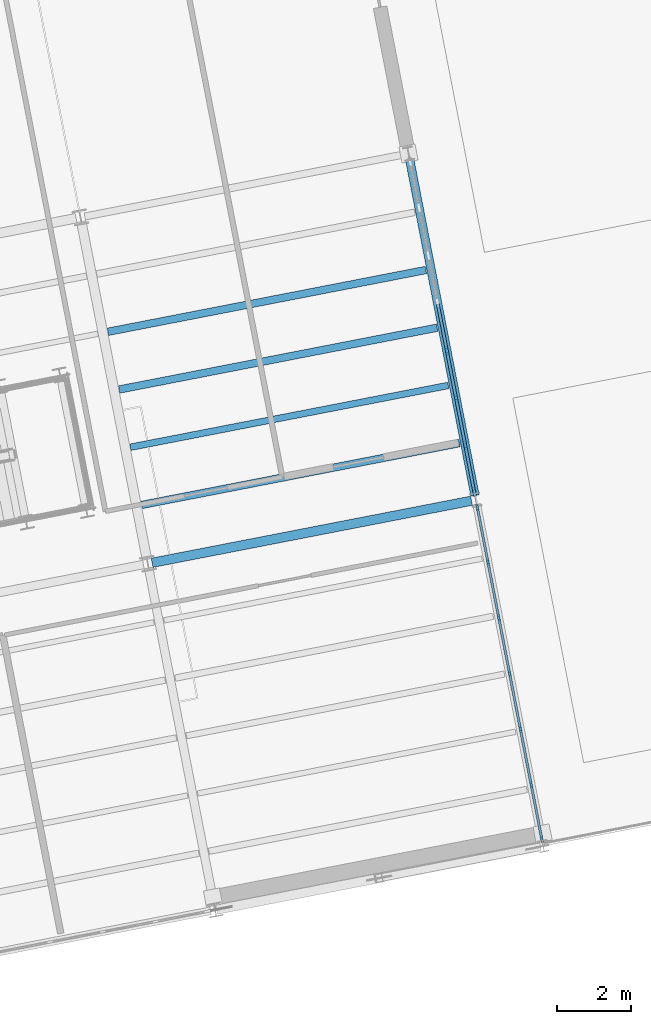
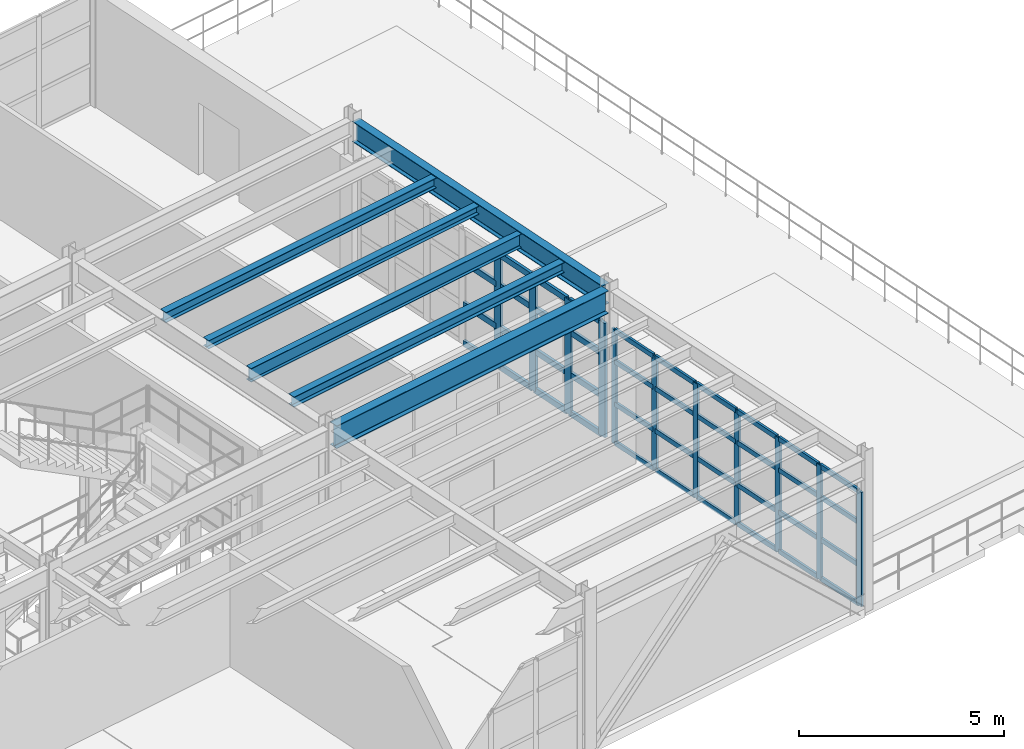
# One storey, part 24 of 109: 50 members, 6 beams, 2 elements without a shape of their own.
"""IFC4 building model written with IfcOpenShell, lengths in metres."""

from ifc_helpers import new_model, si_unit, direction, frame, origin, origin_2d, place, context, subcontext, project, spatial, rectangle, i_section, extrude, material, layer, layer_set, material_profile, profile_set, type_object, element, aggregate, save


model = new_model("IFC4")

# Units and contexts
model_context = context("Model", 3, precision=1e-05, world=origin(), true_north=direction((0.0, 1.0)))
body_context = subcontext(model_context, "Body", "Model", "MODEL_VIEW")
ifc_project = project(units=[si_unit("LENGTHUNIT", "METRE"), si_unit("AREAUNIT", "SQUARE_METRE"), si_unit("VOLUMEUNIT", "CUBIC_METRE"), si_unit("PLANEANGLEUNIT", "RADIAN"), si_unit("MASSUNIT", "GRAM", prefix="KILO")], contexts=[model_context])

# Site, building, storey
site_placement = place(None, origin())
site = spatial("IfcSite", under=ifc_project, at=site_placement, CompositionType="ELEMENT")
building_placement = place(site_placement, origin())
building = spatial("IfcBuilding", under=site, at=building_placement, Name="Vireo Bluff Cable Station", CompositionType="ELEMENT")
storey_placement = place(building_placement, frame((0.0, 0.0, 4.800048828125)))
storey = spatial("IfcBuildingStorey", under=building, at=storey_placement, Name="L01", CompositionType="ELEMENT", Elevation=4.800048828125)

# Curtain wall, members
ifc_material_1 = material(Name="Anodized Aluminium 6063-T6", Category="aluminium")
ifc_layer_1 = layer(ifc_material_1, 0.179931640625, Name="Anodized Aluminium 6063-T6")
ifc_layer_set_1 = layer_set([ifc_layer_1], Name="Anodized Aluminium 6063-T6")
curtain_wall_type_1 = type_object("IfcCurtainWallType", Name="CW-UNIT-1500", PredefinedType="USERDEFINED", material=ifc_layer_set_1)
curtain_wall_1_placement = place(storey_placement, origin())
curtain_wall_1 = element("IfcCurtainWall", 1, at=curtain_wall_1_placement, inside=storey, type_object=curtain_wall_type_1, Name="V5 L01 east curtain wall CW-124", ObjectType="UNITISED CURTAIN WALL", PredefinedType="USERDEFINED")
ifc_material_profile_1 = material_profile(ifc_material_1, rectangle(XDim=0.06494140625, YDim=0.179931640625, at=origin_2d()), Name="ALU-M-65X180")
ifc_profile_set_1 = profile_set([ifc_material_profile_1], Name="Anodized Aluminium 6063-T6")
member_type_1 = type_object("IfcMemberType", Name="CWM-01", PredefinedType="MULLION", material=ifc_profile_set_1)
member_1_placement = place(storey_placement, frame((43.067138671875, 21.482666015625, 0.0), z_axis=(0.0, 0.0, 1.0), x_axis=(0.981627194188, 0.190808940124, 0.0)))
member_1 = element("IfcMember", 2, at=member_1_placement, type_object=member_type_1, Name="CW-124 mullion 1", PredefinedType="MULLION", context=body_context, shape_type="SweptSolid", body=[
    extrude(rectangle(XDim=0.06494140625, YDim=0.179931640625, at=origin_2d()), origin(), (0.0, 0.0, 1.0), 3.39990234375),
])
member_2_placement = place(storey_placement, frame((43.352294921875, 20.015625, 0.0), z_axis=(0.0, 0.0, 1.0), x_axis=(0.981627194188, 0.190808940124, 0.0)))
member_2 = element("IfcMember", 3, at=member_2_placement, type_object=member_type_1, Name="CW-124 mullion 2", PredefinedType="MULLION", context=body_context, shape_type="SweptSolid", body=[
    extrude(rectangle(XDim=0.06494140625, YDim=0.179931640625, at=origin_2d()), origin(), (0.0, 0.0, 1.0), 3.39990234375),
])
member_3_placement = place(storey_placement, frame((43.6435546875, 18.516845703125, 0.0), z_axis=(0.0, 0.0, 1.0), x_axis=(0.981627194188, 0.190808940124, 0.0)))
member_3 = element("IfcMember", 4, at=member_3_placement, type_object=member_type_1, Name="CW-124 mullion 3", PredefinedType="MULLION", context=body_context, shape_type="SweptSolid", body=[
    extrude(rectangle(XDim=0.06494140625, YDim=0.179931640625, at=origin_2d()), origin(), (0.0, 0.0, 1.0), 3.39990234375),
])
member_4_placement = place(storey_placement, frame((43.93505859375, 17.017822265625, 0.0), z_axis=(0.0, 0.0, 1.0), x_axis=(0.981627194188, 0.190808940124, 0.0)))
member_4 = element("IfcMember", 5, at=member_4_placement, type_object=member_type_1, Name="CW-124 mullion 4", PredefinedType="MULLION", context=body_context, shape_type="SweptSolid", body=[
    extrude(rectangle(XDim=0.06494140625, YDim=0.179931640625, at=origin_2d()), origin(), (0.0, 0.0, 1.0), 3.39990234375),
])
member_5_placement = place(storey_placement, frame((44.226318359375, 15.51904296875, 0.0), z_axis=(0.0, 0.0, 1.0), x_axis=(0.981627194188, 0.190808940124, 0.0)))
member_5 = element("IfcMember", 6, at=member_5_placement, type_object=member_type_1, Name="CW-124 mullion 5", PredefinedType="MULLION", context=body_context, shape_type="SweptSolid", body=[
    extrude(rectangle(XDim=0.06494140625, YDim=0.179931640625, at=origin_2d()), origin(), (0.0, 0.0, 1.0), 3.39990234375),
])
member_6_placement = place(storey_placement, frame((44.517578125, 14.02001953125, 0.0), z_axis=(0.0, 0.0, 1.0), x_axis=(0.981627194188, 0.190808940124, 0.0)))
member_6 = element("IfcMember", 7, at=member_6_placement, type_object=member_type_1, Name="CW-124 mullion 6", PredefinedType="MULLION", context=body_context, shape_type="SweptSolid", body=[
    extrude(rectangle(XDim=0.06494140625, YDim=0.179931640625, at=origin_2d()), origin(), (0.0, 0.0, 1.0), 3.39990234375),
])
member_7_placement = place(storey_placement, frame((44.802734375, 12.55322265625, 0.0), z_axis=(0.0, 0.0, 1.0), x_axis=(0.981627194188, 0.190808940124, 0.0)))
member_7 = element("IfcMember", 8, at=member_7_placement, type_object=member_type_1, Name="CW-124 mullion 7", PredefinedType="MULLION", context=body_context, shape_type="SweptSolid", body=[
    extrude(rectangle(XDim=0.06494140625, YDim=0.179931640625, at=origin_2d()), origin(), (0.0, 0.0, 1.0), 3.39990234375),
])

ifc_layer_2 = layer(ifc_material_1, 0.179931640625, Name="Anodized Aluminium 6063-T6")
ifc_layer_set_2 = layer_set([ifc_layer_2], Name="Anodized Aluminium 6063-T6")
curtain_wall_type_2 = type_object("IfcCurtainWallType", Name="CW-UNIT-1400", PredefinedType="USERDEFINED", material=ifc_layer_set_2)
curtain_wall_2_placement = place(storey_placement, origin())
curtain_wall_2 = element("IfcCurtainWall", 9, at=curtain_wall_2_placement, inside=storey, type_object=curtain_wall_type_2, Name="V5 L01 east curtain wall CW-123", ObjectType="UNITISED CURTAIN WALL", PredefinedType="USERDEFINED")
ifc_material_profile_2 = material_profile(ifc_material_1, rectangle(XDim=0.080078125, YDim=0.239990234375, at=origin_2d()), Name="ALU-M-80X240")
ifc_profile_set_2 = profile_set([ifc_material_profile_2], Name="Anodized Aluminium 6063-T6")
member_type_2 = type_object("IfcMemberType", Name="CWM-04", PredefinedType="MULLION", material=ifc_profile_set_2)
member_8_placement = place(storey_placement, frame((42.244140625, 25.717041015625, 0.0), z_axis=(0.0, 0.0, 1.0), x_axis=(0.981627174053, 0.190809043708, 0.0)))
member_8 = element("IfcMember", 10, at=member_8_placement, type_object=member_type_2, Name="CW-123 mullion 5", PredefinedType="MULLION", context=body_context, shape_type="SweptSolid", body=[
    extrude(rectangle(XDim=0.080078125, YDim=0.239990234375, at=origin_2d()), origin(), (0.0, 0.0, 1.0), 3.39990234375),
])
member_9_placement = place(storey_placement, frame((42.492919921875, 24.436279296875, 0.0), z_axis=(0.0, 0.0, 1.0), x_axis=(0.981627174053, 0.190809043708, 0.0)))
member_9 = element("IfcMember", 11, at=member_9_placement, type_object=member_type_2, Name="CW-123 mullion 6", PredefinedType="MULLION", context=body_context, shape_type="SweptSolid", body=[
    extrude(rectangle(XDim=0.080078125, YDim=0.239990234375, at=origin_2d()), origin(), (0.0, 0.0, 1.0), 3.39990234375),
])
member_10_placement = place(storey_placement, frame((42.741943359375, 23.155517578125, 0.0), z_axis=(0.0, 0.0, 1.0), x_axis=(0.981627174053, 0.190809043708, 0.0)))
member_10 = element("IfcMember", 12, at=member_10_placement, type_object=member_type_2, Name="CW-123 mullion 7", PredefinedType="MULLION", context=body_context, shape_type="SweptSolid", body=[
    extrude(rectangle(XDim=0.080078125, YDim=0.239990234375, at=origin_2d()), origin(), (0.0, 0.0, 1.0), 3.39990234375),
])
member_11_placement = place(storey_placement, frame((42.983154296875, 21.9140625, 0.0), z_axis=(0.0, 0.0, 1.0), x_axis=(0.981627174053, 0.190809043708, 0.0)))
member_11 = element("IfcMember", 13, at=member_11_placement, type_object=member_type_2, Name="CW-123 mullion 8", PredefinedType="MULLION", context=body_context, shape_type="SweptSolid", body=[
    extrude(rectangle(XDim=0.080078125, YDim=0.239990234375, at=origin_2d()), origin(), (0.0, 0.0, 1.0), 3.39990234375),
])

# Member
ifc_material_profile_3 = material_profile(ifc_material_1, rectangle(XDim=0.06494140625, YDim=0.139892578125, at=origin_2d()), Name="ALU-T-65X140")
ifc_profile_set_3 = profile_set([ifc_material_profile_3], Name="Anodized Aluminium 6063-T6")
member_type_3 = type_object("IfcMemberType", Name="CWT-01", PredefinedType="USERDEFINED", material=ifc_profile_set_3)
member_12_placement = place(storey_placement, frame((43.0732421875, 21.45068359375, 0.032470703125), z_axis=(0.190791937933, -0.981630498925, 0.0), x_axis=(0.981630498925, 0.190791937933, 0.0)))
member_12 = element("IfcMember", 14, at=member_12_placement, type_object=member_type_3, Name="CW-124 transom 1.1", ObjectType="TRANSOM", PredefinedType="USERDEFINED", context=body_context, shape_type="SweptSolid", body=[
    extrude(rectangle(XDim=0.06494140625, YDim=0.139892578125, at=origin_2d()), origin(), (0.0, 0.0, 1.0), 1.429443359375),
])

member_13_placement = place(storey_placement, frame((43.0732421875, 21.45068359375, 1.18994140625), z_axis=(0.190791937933, -0.981630498925, 0.0), x_axis=(0.981630498925, 0.190791937933, 0.0)))
member_13 = element("IfcMember", 15, at=member_13_placement, type_object=member_type_3, Name="CW-124 transom 1.2", ObjectType="TRANSOM", PredefinedType="USERDEFINED", context=body_context, shape_type="SweptSolid", body=[
    extrude(rectangle(XDim=0.06494140625, YDim=0.139892578125, at=origin_2d()), origin(), (0.0, 0.0, 1.0), 1.429443359375),
])

member_14_placement = place(storey_placement, frame((43.0732421875, 21.45068359375, 2.447998046875), z_axis=(0.190791937933, -0.981630498925, 0.0), x_axis=(0.981630498925, 0.190791937933, 0.0)))
member_14 = element("IfcMember", 16, at=member_14_placement, type_object=member_type_3, Name="CW-124 transom 1.3", ObjectType="TRANSOM", PredefinedType="USERDEFINED", context=body_context, shape_type="SweptSolid", body=[
    extrude(rectangle(XDim=0.06494140625, YDim=0.139892578125, at=origin_2d()), origin(), (0.0, 0.0, 1.0), 1.429443359375),
])

member_15_placement = place(storey_placement, frame((43.0732421875, 21.45068359375, 3.367431640625), z_axis=(0.190791937933, -0.981630498925, 0.0), x_axis=(0.981630498925, 0.190791937933, 0.0)))
member_15 = element("IfcMember", 17, at=member_15_placement, type_object=member_type_3, Name="CW-124 transom 1.4", ObjectType="TRANSOM", PredefinedType="USERDEFINED", context=body_context, shape_type="SweptSolid", body=[
    extrude(rectangle(XDim=0.06494140625, YDim=0.139892578125, at=origin_2d()), origin(), (0.0, 0.0, 1.0), 1.429443359375),
])

member_16_placement = place(storey_placement, frame((43.3583984375, 19.983642578125, 0.032470703125), z_axis=(0.190878598759, -0.98161365136, 0.0), x_axis=(0.98161365136, 0.190878598759, 0.0)))
member_16 = element("IfcMember", 18, at=member_16_placement, type_object=member_type_3, Name="CW-124 transom 2.1", ObjectType="TRANSOM", PredefinedType="USERDEFINED", context=body_context, shape_type="SweptSolid", body=[
    extrude(rectangle(XDim=0.06494140625, YDim=0.139892578125, at=origin_2d()), origin(), (0.0, 0.0, 1.0), 1.4619140625),
])

member_17_placement = place(storey_placement, frame((43.3583984375, 19.983642578125, 1.18994140625), z_axis=(0.190878598759, -0.98161365136, 0.0), x_axis=(0.98161365136, 0.190878598759, 0.0)))
member_17 = element("IfcMember", 19, at=member_17_placement, type_object=member_type_3, Name="CW-124 transom 2.2", ObjectType="TRANSOM", PredefinedType="USERDEFINED", context=body_context, shape_type="SweptSolid", body=[
    extrude(rectangle(XDim=0.06494140625, YDim=0.139892578125, at=origin_2d()), origin(), (0.0, 0.0, 1.0), 1.4619140625),
])

member_18_placement = place(storey_placement, frame((43.3583984375, 19.983642578125, 2.447998046875), z_axis=(0.190878598759, -0.98161365136, 0.0), x_axis=(0.98161365136, 0.190878598759, 0.0)))
member_18 = element("IfcMember", 20, at=member_18_placement, type_object=member_type_3, Name="CW-124 transom 2.3", ObjectType="TRANSOM", PredefinedType="USERDEFINED", context=body_context, shape_type="SweptSolid", body=[
    extrude(rectangle(XDim=0.06494140625, YDim=0.139892578125, at=origin_2d()), origin(), (0.0, 0.0, 1.0), 1.4619140625),
])

member_19_placement = place(storey_placement, frame((43.3583984375, 19.983642578125, 3.367431640625), z_axis=(0.190878598759, -0.98161365136, 0.0), x_axis=(0.98161365136, 0.190878598759, 0.0)))
member_19 = element("IfcMember", 21, at=member_19_placement, type_object=member_type_3, Name="CW-124 transom 2.4", ObjectType="TRANSOM", PredefinedType="USERDEFINED", context=body_context, shape_type="SweptSolid", body=[
    extrude(rectangle(XDim=0.06494140625, YDim=0.139892578125, at=origin_2d()), origin(), (0.0, 0.0, 1.0), 1.4619140625),
])

member_20_placement = place(storey_placement, frame((43.64990234375, 18.48486328125, 0.032470703125), z_axis=(0.190717677676, -0.981644929403, 0.0), x_axis=(0.981644929403, 0.190717677676, 0.0)))
member_20 = element("IfcMember", 22, at=member_20_placement, type_object=member_type_3, Name="CW-124 transom 3.1", ObjectType="TRANSOM", PredefinedType="USERDEFINED", context=body_context, shape_type="SweptSolid", body=[
    extrude(rectangle(XDim=0.06494140625, YDim=0.139892578125, at=origin_2d()), origin(), (0.0, 0.0, 1.0), 1.4619140625),
])

member_21_placement = place(storey_placement, frame((43.64990234375, 18.48486328125, 1.18994140625), z_axis=(0.190717677676, -0.981644929403, 0.0), x_axis=(0.981644929403, 0.190717677676, 0.0)))
member_21 = element("IfcMember", 23, at=member_21_placement, type_object=member_type_3, Name="CW-124 transom 3.2", ObjectType="TRANSOM", PredefinedType="USERDEFINED", context=body_context, shape_type="SweptSolid", body=[
    extrude(rectangle(XDim=0.06494140625, YDim=0.139892578125, at=origin_2d()), origin(), (0.0, 0.0, 1.0), 1.4619140625),
])

member_22_placement = place(storey_placement, frame((43.64990234375, 18.48486328125, 2.447998046875), z_axis=(0.190717677676, -0.981644929403, 0.0), x_axis=(0.981644929403, 0.190717677676, 0.0)))
member_22 = element("IfcMember", 24, at=member_22_placement, type_object=member_type_3, Name="CW-124 transom 3.3", ObjectType="TRANSOM", PredefinedType="USERDEFINED", context=body_context, shape_type="SweptSolid", body=[
    extrude(rectangle(XDim=0.06494140625, YDim=0.139892578125, at=origin_2d()), origin(), (0.0, 0.0, 1.0), 1.4619140625),
])

member_23_placement = place(storey_placement, frame((43.64990234375, 18.48486328125, 3.367431640625), z_axis=(0.190717677676, -0.981644929403, 0.0), x_axis=(0.981644929403, 0.190717677676, 0.0)))
member_23 = element("IfcMember", 25, at=member_23_placement, type_object=member_type_3, Name="CW-124 transom 3.4", ObjectType="TRANSOM", PredefinedType="USERDEFINED", context=body_context, shape_type="SweptSolid", body=[
    extrude(rectangle(XDim=0.06494140625, YDim=0.139892578125, at=origin_2d()), origin(), (0.0, 0.0, 1.0), 1.4619140625),
])

member_24_placement = place(storey_placement, frame((43.941162109375, 16.98583984375, 0.032470703125), z_axis=(0.190909894028, -0.981607565355, 0.0), x_axis=(0.981607565355, 0.190909894028, 0.0)))
member_24 = element("IfcMember", 26, at=member_24_placement, type_object=member_type_3, Name="CW-124 transom 4.1", ObjectType="TRANSOM", PredefinedType="USERDEFINED", context=body_context, shape_type="SweptSolid", body=[
    extrude(rectangle(XDim=0.06494140625, YDim=0.139892578125, at=origin_2d()), origin(), (0.0, 0.0, 1.0), 1.461669921875),
])

member_25_placement = place(storey_placement, frame((43.941162109375, 16.98583984375, 1.18994140625), z_axis=(0.190909894028, -0.981607565355, 0.0), x_axis=(0.981607565355, 0.190909894028, 0.0)))
member_25 = element("IfcMember", 27, at=member_25_placement, type_object=member_type_3, Name="CW-124 transom 4.2", ObjectType="TRANSOM", PredefinedType="USERDEFINED", context=body_context, shape_type="SweptSolid", body=[
    extrude(rectangle(XDim=0.06494140625, YDim=0.139892578125, at=origin_2d()), origin(), (0.0, 0.0, 1.0), 1.461669921875),
])

member_26_placement = place(storey_placement, frame((43.941162109375, 16.98583984375, 2.447998046875), z_axis=(0.190909894028, -0.981607565355, 0.0), x_axis=(0.981607565355, 0.190909894028, 0.0)))
member_26 = element("IfcMember", 28, at=member_26_placement, type_object=member_type_3, Name="CW-124 transom 4.3", ObjectType="TRANSOM", PredefinedType="USERDEFINED", context=body_context, shape_type="SweptSolid", body=[
    extrude(rectangle(XDim=0.06494140625, YDim=0.139892578125, at=origin_2d()), origin(), (0.0, 0.0, 1.0), 1.461669921875),
])

member_27_placement = place(storey_placement, frame((43.941162109375, 16.98583984375, 3.367431640625), z_axis=(0.190909894028, -0.981607565355, 0.0), x_axis=(0.981607565355, 0.190909894028, 0.0)))
member_27 = element("IfcMember", 29, at=member_27_placement, type_object=member_type_3, Name="CW-124 transom 4.4", ObjectType="TRANSOM", PredefinedType="USERDEFINED", context=body_context, shape_type="SweptSolid", body=[
    extrude(rectangle(XDim=0.06494140625, YDim=0.139892578125, at=origin_2d()), origin(), (0.0, 0.0, 1.0), 1.461669921875),
])

member_28_placement = place(storey_placement, frame((44.232421875, 15.487060546875, 0.032470703125), z_axis=(0.190878598759, -0.98161365136, 0.0), x_axis=(0.98161365136, 0.190878598759, 0.0)))
member_28 = element("IfcMember", 30, at=member_28_placement, type_object=member_type_3, Name="CW-124 transom 5.1", ObjectType="TRANSOM", PredefinedType="USERDEFINED", context=body_context, shape_type="SweptSolid", body=[
    extrude(rectangle(XDim=0.06494140625, YDim=0.139892578125, at=origin_2d()), origin(), (0.0, 0.0, 1.0), 1.4619140625),
])

member_29_placement = place(storey_placement, frame((44.232421875, 15.487060546875, 1.18994140625), z_axis=(0.190878598759, -0.98161365136, 0.0), x_axis=(0.98161365136, 0.190878598759, 0.0)))
member_29 = element("IfcMember", 31, at=member_29_placement, type_object=member_type_3, Name="CW-124 transom 5.2", ObjectType="TRANSOM", PredefinedType="USERDEFINED", context=body_context, shape_type="SweptSolid", body=[
    extrude(rectangle(XDim=0.06494140625, YDim=0.139892578125, at=origin_2d()), origin(), (0.0, 0.0, 1.0), 1.4619140625),
])

member_30_placement = place(storey_placement, frame((44.232421875, 15.487060546875, 2.447998046875), z_axis=(0.190878598759, -0.98161365136, 0.0), x_axis=(0.98161365136, 0.190878598759, 0.0)))
member_30 = element("IfcMember", 32, at=member_30_placement, type_object=member_type_3, Name="CW-124 transom 5.3", ObjectType="TRANSOM", PredefinedType="USERDEFINED", context=body_context, shape_type="SweptSolid", body=[
    extrude(rectangle(XDim=0.06494140625, YDim=0.139892578125, at=origin_2d()), origin(), (0.0, 0.0, 1.0), 1.4619140625),
])

member_31_placement = place(storey_placement, frame((44.232421875, 15.487060546875, 3.367431640625), z_axis=(0.190878598759, -0.98161365136, 0.0), x_axis=(0.98161365136, 0.190878598759, 0.0)))
member_31 = element("IfcMember", 33, at=member_31_placement, type_object=member_type_3, Name="CW-124 transom 5.4", ObjectType="TRANSOM", PredefinedType="USERDEFINED", context=body_context, shape_type="SweptSolid", body=[
    extrude(rectangle(XDim=0.06494140625, YDim=0.139892578125, at=origin_2d()), origin(), (0.0, 0.0, 1.0), 1.4619140625),
])

member_32_placement = place(storey_placement, frame((44.52392578125, 13.98828125, 0.032470703125), z_axis=(0.190759953145, -0.98163671502, 0.0), x_axis=(0.98163671502, 0.190759953145, 0.0)))
member_32 = element("IfcMember", 34, at=member_32_placement, type_object=member_type_3, Name="CW-124 transom 6.1", ObjectType="TRANSOM", PredefinedType="USERDEFINED", context=body_context, shape_type="SweptSolid", body=[
    extrude(rectangle(XDim=0.06494140625, YDim=0.139892578125, at=origin_2d()), origin(), (0.0, 0.0, 1.0), 1.4296875),
])

member_33_placement = place(storey_placement, frame((44.52392578125, 13.98828125, 1.18994140625), z_axis=(0.190759953145, -0.98163671502, 0.0), x_axis=(0.98163671502, 0.190759953145, 0.0)))
member_33 = element("IfcMember", 35, at=member_33_placement, type_object=member_type_3, Name="CW-124 transom 6.2", ObjectType="TRANSOM", PredefinedType="USERDEFINED", context=body_context, shape_type="SweptSolid", body=[
    extrude(rectangle(XDim=0.06494140625, YDim=0.139892578125, at=origin_2d()), origin(), (0.0, 0.0, 1.0), 1.4296875),
])

member_34_placement = place(storey_placement, frame((44.52392578125, 13.98828125, 2.447998046875), z_axis=(0.190759953145, -0.98163671502, 0.0), x_axis=(0.98163671502, 0.190759953145, 0.0)))
member_34 = element("IfcMember", 36, at=member_34_placement, type_object=member_type_3, Name="CW-124 transom 6.3", ObjectType="TRANSOM", PredefinedType="USERDEFINED", context=body_context, shape_type="SweptSolid", body=[
    extrude(rectangle(XDim=0.06494140625, YDim=0.139892578125, at=origin_2d()), origin(), (0.0, 0.0, 1.0), 1.4296875),
])

member_35_placement = place(storey_placement, frame((44.52392578125, 13.98828125, 3.367431640625), z_axis=(0.190759953145, -0.98163671502, 0.0), x_axis=(0.98163671502, 0.190759953145, 0.0)))
member_35 = element("IfcMember", 37, at=member_35_placement, type_object=member_type_3, Name="CW-124 transom 6.4", ObjectType="TRANSOM", PredefinedType="USERDEFINED", context=body_context, shape_type="SweptSolid", body=[
    extrude(rectangle(XDim=0.06494140625, YDim=0.139892578125, at=origin_2d()), origin(), (0.0, 0.0, 1.0), 1.4296875),
])

aggregate(curtain_wall_1, [member_1, member_2, member_3, member_4, member_5, member_6, member_7, member_12, member_13, member_14, member_15, member_16, member_17, member_18, member_19, member_20, member_21, member_22, member_23, member_24, member_25, member_26, member_27, member_28, member_29, member_30, member_31, member_32, member_33, member_34, member_35])

ifc_material_profile_4 = material_profile(ifc_material_1, rectangle(XDim=0.080078125, YDim=0.175048828125, at=origin_2d()), Name="ALU-T-80X175")
ifc_profile_set_4 = profile_set([ifc_material_profile_4], Name="Anodized Aluminium 6063-T6")
member_type_4 = type_object("IfcMemberType", Name="CWT-04", PredefinedType="USERDEFINED", material=ifc_profile_set_4)
member_36_placement = place(storey_placement, frame((42.002685546875, 26.95849609375, 0.0400390625), z_axis=(0.190746955021, -0.981639240836, 0.0), x_axis=(0.981639240836, 0.190746955021, 0.0)))
member_36 = element("IfcMember", 38, at=member_36_placement, type_object=member_type_4, Name="CW-123 transom 4.1", ObjectType="TRANSOM", PredefinedType="USERDEFINED", context=body_context, shape_type="SweptSolid", body=[
    extrude(rectangle(XDim=0.080078125, YDim=0.175048828125, at=origin_2d()), origin(), (0.0, 0.0, 1.0), 1.224853515625),
])

member_37_placement = place(storey_placement, frame((42.002685546875, 26.95849609375, 1.18994140625), z_axis=(0.190746955021, -0.981639240836, 0.0), x_axis=(0.981639240836, 0.190746955021, 0.0)))
member_37 = element("IfcMember", 39, at=member_37_placement, type_object=member_type_4, Name="CW-123 transom 4.2", ObjectType="TRANSOM", PredefinedType="USERDEFINED", context=body_context, shape_type="SweptSolid", body=[
    extrude(rectangle(XDim=0.080078125, YDim=0.175048828125, at=origin_2d()), origin(), (0.0, 0.0, 1.0), 1.224853515625),
])

member_38_placement = place(storey_placement, frame((42.002685546875, 26.95849609375, 2.447998046875), z_axis=(0.190746955021, -0.981639240836, 0.0), x_axis=(0.981639240836, 0.190746955021, 0.0)))
member_38 = element("IfcMember", 40, at=member_38_placement, type_object=member_type_4, Name="CW-123 transom 4.3", ObjectType="TRANSOM", PredefinedType="USERDEFINED", context=body_context, shape_type="SweptSolid", body=[
    extrude(rectangle(XDim=0.080078125, YDim=0.175048828125, at=origin_2d()), origin(), (0.0, 0.0, 1.0), 1.224853515625),
])

member_39_placement = place(storey_placement, frame((42.251708984375, 25.677734375, 0.0400390625), z_axis=(0.190746955021, -0.981639240836, 0.0), x_axis=(0.981639240836, 0.190746955021, 0.0)))
member_39 = element("IfcMember", 41, at=member_39_placement, type_object=member_type_4, Name="CW-123 transom 5.1", ObjectType="TRANSOM", PredefinedType="USERDEFINED", context=body_context, shape_type="SweptSolid", body=[
    extrude(rectangle(XDim=0.080078125, YDim=0.175048828125, at=origin_2d()), origin(), (0.0, 0.0, 1.0), 1.224853515625),
])

member_40_placement = place(storey_placement, frame((42.251708984375, 25.677734375, 1.18994140625), z_axis=(0.190746955021, -0.981639240836, 0.0), x_axis=(0.981639240836, 0.190746955021, 0.0)))
member_40 = element("IfcMember", 42, at=member_40_placement, type_object=member_type_4, Name="CW-123 transom 5.2", ObjectType="TRANSOM", PredefinedType="USERDEFINED", context=body_context, shape_type="SweptSolid", body=[
    extrude(rectangle(XDim=0.080078125, YDim=0.175048828125, at=origin_2d()), origin(), (0.0, 0.0, 1.0), 1.224853515625),
])

member_41_placement = place(storey_placement, frame((42.251708984375, 25.677734375, 2.447998046875), z_axis=(0.190746955021, -0.981639240836, 0.0), x_axis=(0.981639240836, 0.190746955021, 0.0)))
member_41 = element("IfcMember", 43, at=member_41_placement, type_object=member_type_4, Name="CW-123 transom 5.3", ObjectType="TRANSOM", PredefinedType="USERDEFINED", context=body_context, shape_type="SweptSolid", body=[
    extrude(rectangle(XDim=0.080078125, YDim=0.175048828125, at=origin_2d()), origin(), (0.0, 0.0, 1.0), 1.224853515625),
])

member_42_placement = place(storey_placement, frame((42.251708984375, 25.677734375, 3.35986328125), z_axis=(0.190746955021, -0.981639240836, 0.0), x_axis=(0.981639240836, 0.190746955021, 0.0)))
member_42 = element("IfcMember", 44, at=member_42_placement, type_object=member_type_4, Name="CW-123 transom 5.4", ObjectType="TRANSOM", PredefinedType="USERDEFINED", context=body_context, shape_type="SweptSolid", body=[
    extrude(rectangle(XDim=0.080078125, YDim=0.175048828125, at=origin_2d()), origin(), (0.0, 0.0, 1.0), 1.224853515625),
])

member_43_placement = place(storey_placement, frame((42.50048828125, 24.39697265625, 0.0400390625), z_axis=(0.190976372698, -0.981594633783, 0.0), x_axis=(0.981594633783, 0.190976372698, 0.0)))
member_43 = element("IfcMember", 45, at=member_43_placement, type_object=member_type_4, Name="CW-123 transom 6.1", ObjectType="TRANSOM", PredefinedType="USERDEFINED", context=body_context, shape_type="SweptSolid", body=[
    extrude(rectangle(XDim=0.080078125, YDim=0.175048828125, at=origin_2d()), origin(), (0.0, 0.0, 1.0), 1.224609375),
])

member_44_placement = place(storey_placement, frame((42.50048828125, 24.39697265625, 1.18994140625), z_axis=(0.190976372698, -0.981594633783, 0.0), x_axis=(0.981594633783, 0.190976372698, 0.0)))
member_44 = element("IfcMember", 46, at=member_44_placement, type_object=member_type_4, Name="CW-123 transom 6.2", ObjectType="TRANSOM", PredefinedType="USERDEFINED", context=body_context, shape_type="SweptSolid", body=[
    extrude(rectangle(XDim=0.080078125, YDim=0.175048828125, at=origin_2d()), origin(), (0.0, 0.0, 1.0), 1.224609375),
])

member_45_placement = place(storey_placement, frame((42.50048828125, 24.39697265625, 2.447998046875), z_axis=(0.190976372698, -0.981594633783, 0.0), x_axis=(0.981594633783, 0.190976372698, 0.0)))
member_45 = element("IfcMember", 47, at=member_45_placement, type_object=member_type_4, Name="CW-123 transom 6.3", ObjectType="TRANSOM", PredefinedType="USERDEFINED", context=body_context, shape_type="SweptSolid", body=[
    extrude(rectangle(XDim=0.080078125, YDim=0.175048828125, at=origin_2d()), origin(), (0.0, 0.0, 1.0), 1.224609375),
])

member_46_placement = place(storey_placement, frame((42.50048828125, 24.39697265625, 3.35986328125), z_axis=(0.190976372698, -0.981594633783, 0.0), x_axis=(0.981594633783, 0.190976372698, 0.0)))
member_46 = element("IfcMember", 48, at=member_46_placement, type_object=member_type_4, Name="CW-123 transom 6.4", ObjectType="TRANSOM", PredefinedType="USERDEFINED", context=body_context, shape_type="SweptSolid", body=[
    extrude(rectangle(XDim=0.080078125, YDim=0.175048828125, at=origin_2d()), origin(), (0.0, 0.0, 1.0), 1.224609375),
])

member_47_placement = place(storey_placement, frame((42.74951171875, 23.1162109375, 0.0400390625), z_axis=(0.190803477145, -0.981628256067, 0.0), x_axis=(0.981628256067, 0.190803477145, 0.0)))
member_47 = element("IfcMember", 49, at=member_47_placement, type_object=member_type_4, Name="CW-123 transom 7.1", ObjectType="TRANSOM", PredefinedType="USERDEFINED", context=body_context, shape_type="SweptSolid", body=[
    extrude(rectangle(XDim=0.080078125, YDim=0.175048828125, at=origin_2d()), origin(), (0.0, 0.0, 1.0), 1.184814453125),
])

member_48_placement = place(storey_placement, frame((42.74951171875, 23.1162109375, 1.18994140625), z_axis=(0.190803477145, -0.981628256067, 0.0), x_axis=(0.981628256067, 0.190803477145, 0.0)))
member_48 = element("IfcMember", 50, at=member_48_placement, type_object=member_type_4, Name="CW-123 transom 7.2", ObjectType="TRANSOM", PredefinedType="USERDEFINED", context=body_context, shape_type="SweptSolid", body=[
    extrude(rectangle(XDim=0.080078125, YDim=0.175048828125, at=origin_2d()), origin(), (0.0, 0.0, 1.0), 1.184814453125),
])

member_49_placement = place(storey_placement, frame((42.74951171875, 23.1162109375, 2.447998046875), z_axis=(0.190803477145, -0.981628256067, 0.0), x_axis=(0.981628256067, 0.190803477145, 0.0)))
member_49 = element("IfcMember", 51, at=member_49_placement, type_object=member_type_4, Name="CW-123 transom 7.3", ObjectType="TRANSOM", PredefinedType="USERDEFINED", context=body_context, shape_type="SweptSolid", body=[
    extrude(rectangle(XDim=0.080078125, YDim=0.175048828125, at=origin_2d()), origin(), (0.0, 0.0, 1.0), 1.184814453125),
])

member_50_placement = place(storey_placement, frame((42.74951171875, 23.1162109375, 3.35986328125), z_axis=(0.190803477145, -0.981628256067, 0.0), x_axis=(0.981628256067, 0.190803477145, 0.0)))
member_50 = element("IfcMember", 52, at=member_50_placement, type_object=member_type_4, Name="CW-123 transom 7.4", ObjectType="TRANSOM", PredefinedType="USERDEFINED", context=body_context, shape_type="SweptSolid", body=[
    extrude(rectangle(XDim=0.080078125, YDim=0.175048828125, at=origin_2d()), origin(), (0.0, 0.0, 1.0), 1.184814453125),
])

aggregate(curtain_wall_2, [member_8, member_9, member_10, member_11, member_36, member_37, member_38, member_39, member_40, member_41, member_42, member_43, member_44, member_45, member_46, member_47, member_48, member_49, member_50])

# Beams
ifc_material_2 = material(Name="Steel ASTM A992 Gr. 50", Category="steel")
ifc_material_profile_5 = material_profile(ifc_material_2, i_section(OverallWidth=0.2529296875, OverallDepth=0.677978515625, WebThickness=0.01171875, FlangeThickness=0.016357421875, FilletRadius=0.014892578125, at=origin_2d()), Name="W27X84")
ifc_profile_set_5 = profile_set([ifc_material_profile_5], Name="Steel ASTM A992 Gr. 50")
beam_type_1 = type_object("IfcBeamType", Name="GIR-W27X84", PredefinedType="USERDEFINED", material=ifc_profile_set_5)
beam_1_placement = place(storey_placement, frame((34.30908203125, 20.000244140625, 4.200927734375), z_axis=(0.981629601573, 0.190796554777, 0.0), x_axis=(-0.190796554777, 0.981629601573, 0.0)))
element("IfcBeam", 53, at=beam_1_placement, inside=storey, type_object=beam_type_1, Name="V5 L01 girder 1235", ObjectType="GIRDER", PredefinedType="USERDEFINED", context=body_context, shape_type="SweptSolid", body=[
    extrude(i_section(OverallWidth=0.2529296875, OverallDepth=0.677978515625, WebThickness=0.01171875, FlangeThickness=0.016357421875, FilletRadius=0.014892578125, at=origin_2d()), origin(), (0.0, 0.0, 1.0), 8.760009765625),
])
ifc_material_profile_6 = material_profile(ifc_material_2, i_section(OverallWidth=0.201904296875, OverallDepth=0.2470703125, WebThickness=0.00732421875, FlangeThickness=0.010986328125, FilletRadius=0.009033203125, at=origin_2d()), Name="W10X33")
ifc_profile_set_6 = profile_set([ifc_material_profile_6], Name="Steel ASTM A992 Gr. 50")
beam_type_2 = type_object("IfcBeamType", Name="JST-W10X33", PredefinedType="JOIST", material=ifc_profile_set_6)
beam_2_placement = place(storey_placement, frame((33.42236328125, 24.666748046875, 4.41650390625), z_axis=(0.981628064538, 0.190804462503, 0.0), x_axis=(-0.190804462503, 0.981628064538, 0.0)))
element("IfcBeam", 54, at=beam_2_placement, inside=storey, type_object=beam_type_2, Name="V5 L01 composite joist 1246", PredefinedType="JOIST", context=body_context, shape_type="SweptSolid", body=[
    extrude(i_section(OverallWidth=0.201904296875, OverallDepth=0.2470703125, WebThickness=0.00732421875, FlangeThickness=0.010986328125, FilletRadius=0.009033203125, at=origin_2d()), origin(), (0.0, 0.0, 1.0), 8.719970703125),
])
ifc_material_profile_7 = material_profile(ifc_material_2, i_section(OverallWidth=0.202880859375, OverallDepth=0.302978515625, WebThickness=0.007568359375, FlangeThickness=0.01318359375, FilletRadius=0.010009765625, at=origin_2d()), Name="W12X40")
ifc_profile_set_7 = profile_set([ifc_material_profile_7], Name="Steel ASTM A992 Gr. 50")
beam_type_3 = type_object("IfcBeamType", Name="JST-W12X40", PredefinedType="JOIST", material=ifc_profile_set_7)
for number, where, z_axis, x_axis, name in (
    (55, (34.026611328125, 21.558349609375, 4.388427734375), (0.981628064538, 0.190804462503, 0.0), (-0.190804462503, 0.981628064538, 0.0), "V5 L01 composite joist 1244"),
    (56, (33.1201171875, 26.220947265625, 4.388427734375), (0.981628064538, 0.190804462503, 0.0), (-0.190804462503, 0.981628064538, 0.0), "V5 L01 composite joist 1247"),
):
    element("IfcBeam", number, at=place(storey_placement, frame(where, z_axis=z_axis, x_axis=x_axis)), inside=storey, type_object=beam_type_3, Name=name, PredefinedType="JOIST", context=body_context, shape_type="SweptSolid", body=[
        extrude(i_section(OverallWidth=0.202880859375, OverallDepth=0.302978515625, WebThickness=0.007568359375, FlangeThickness=0.01318359375, FilletRadius=0.010009765625, at=origin_2d()), origin(), (0.0, 0.0, 1.0), 8.719970703125),
    ])
ifc_material_profile_8 = material_profile(ifc_material_2, i_section(OverallWidth=0.177978515625, OverallDepth=0.404052734375, WebThickness=0.007568359375, FlangeThickness=0.010986328125, FilletRadius=0.010009765625, at=origin_2d()), Name="W16X36")
ifc_profile_set_8 = profile_set([ifc_material_profile_8], Name="Steel ASTM A992 Gr. 50")
beam_type_4 = type_object("IfcBeamType", Name="JST-W16X36", PredefinedType="JOIST", material=ifc_profile_set_8)
beam_3_placement = place(storey_placement, frame((33.724365234375, 23.112548828125, 4.337890625), z_axis=(0.981628064538, 0.190804462503, 0.0), x_axis=(-0.190804462503, 0.981628064538, 0.0)))
element("IfcBeam", 57, at=beam_3_placement, inside=storey, type_object=beam_type_4, Name="V5 L01 composite joist 1245", PredefinedType="JOIST", context=body_context, shape_type="SweptSolid", body=[
    extrude(i_section(OverallWidth=0.177978515625, OverallDepth=0.404052734375, WebThickness=0.007568359375, FlangeThickness=0.010986328125, FilletRadius=0.010009765625, at=origin_2d()), origin(), (0.0, 0.0, 1.0), 8.719970703125),
])
ifc_material_profile_9 = material_profile(ifc_material_2, i_section(OverallWidth=0.22802734375, OverallDepth=0.60693359375, WebThickness=0.01123046875, FlangeThickness=0.017333984375, FilletRadius=0.012939453125, at=origin_2d()), Name="W24X76")
ifc_profile_set_9 = profile_set([ifc_material_profile_9], Name="Steel ASTM A992 Gr. 50")
beam_type_5 = type_object("IfcBeamType", Name="SPN-W24X76", PredefinedType="SPANDREL", material=ifc_profile_set_9)
beam_4_placement = place(storey_placement, frame((43.0029296875, 21.812255859375, 4.236572265625), z_axis=(-0.190799797627, 0.981628971264, 0.0), x_axis=(-0.981628971264, -0.190799797627, 0.0)))
element("IfcBeam", 58, at=beam_4_placement, inside=storey, type_object=beam_type_5, Name="V5 L01 spandrel 1238", PredefinedType="SPANDREL", context=body_context, shape_type="SweptSolid", body=[
    extrude(i_section(OverallWidth=0.22802734375, OverallDepth=0.60693359375, WebThickness=0.01123046875, FlangeThickness=0.017333984375, FilletRadius=0.012939453125, at=origin_2d()), origin(), (0.0, 0.0, 1.0), 9.26025390625),
])

save(model, "model.ifc")
